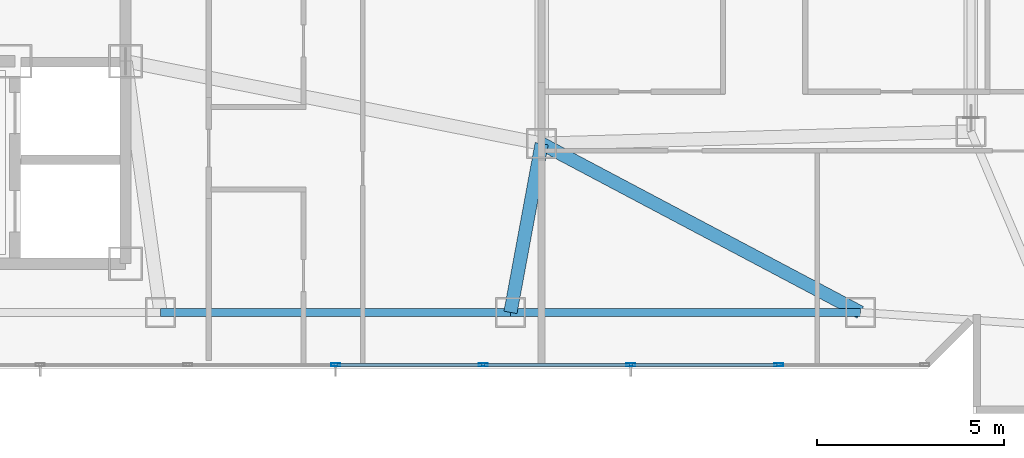
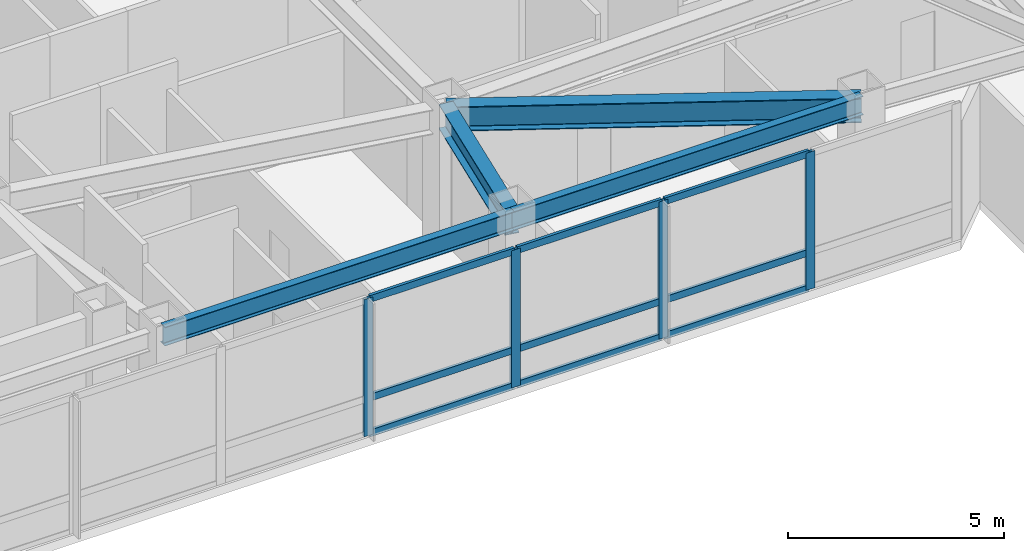
# One storey, part 4 of 12: 13 members, 4 beams, 1 element without a shape of its own.
"""IFC4 building model written with IfcOpenShell, lengths in metres."""

from ifc_helpers import new_model, si_unit, direction, frame, origin, origin_2d, place, context, subcontext, project, spatial, hollow_rectangle, i_section, extrude, material, material_profile, profile_set, type_object, element, aggregate, save


model = new_model("IFC4")

# Units and contexts
model_context = context("Model", 3, precision=1e-05, world=origin(), true_north=direction((0.0, 1.0)))
body_context = subcontext(model_context, "Body", "Model", "MODEL_VIEW")
ifc_project = project(units=[si_unit("LENGTHUNIT", "METRE"), si_unit("AREAUNIT", "SQUARE_METRE"), si_unit("VOLUMEUNIT", "CUBIC_METRE"), si_unit("PLANEANGLEUNIT", "RADIAN"), si_unit("MASSUNIT", "GRAM", prefix="KILO")], contexts=[model_context])

# Site, building, storey
site_placement = place(None, origin())
site = spatial("IfcSite", under=ifc_project, at=site_placement, CompositionType="ELEMENT")
building_placement = place(site_placement, origin())
building = spatial("IfcBuilding", under=site, at=building_placement, Name="Khamvora Tower", CompositionType="ELEMENT")
storey_placement = place(building_placement, frame((0.0, 0.0, 298.85009765625)))
storey = spatial("IfcBuildingStorey", under=building, at=storey_placement, Name="L76", CompositionType="ELEMENT", Elevation=298.85009765625)

# Beams
ifc_material_1 = material(Name="Steel S355", Category="steel")
ifc_material_profile_1 = material_profile(ifc_material_1, i_section(OverallWidth=0.35498046875, OverallDepth=0.695068359375, WebThickness=0.014892578125, FlangeThickness=0.02490234375, FilletRadius=0.01611328125, at=origin_2d()), Name="W690x217")
ifc_profile_set_1 = profile_set([ifc_material_profile_1], Name="Steel S355")
beam_type_1 = type_object("IfcBeamType", Name="BM-PG-W690x217", PredefinedType="BEAM", material=ifc_profile_set_1)
beam_1_placement = place(storey_placement, frame((50.5, 22.199951171875, 3.531982421875), z_axis=(-0.182020488605, -0.983294737974, 0.0), x_axis=(0.983294737974, -0.182020488605, 0.0)))
element("IfcBeam", 1, at=beam_1_placement, inside=storey, type_object=beam_type_1, Name="L76 primary floor girder S3", PredefinedType="BEAM", context=body_context, shape_type="SweptSolid", body=[
    extrude(i_section(OverallWidth=0.35498046875, OverallDepth=0.695068359375, WebThickness=0.014892578125, FlangeThickness=0.02490234375, FilletRadius=0.01611328125, at=origin_2d()), origin(), (0.0, 0.0, 1.0), 4.576416015625),
])
beam_2_placement = place(storey_placement, frame((50.5, 22.199951171875, 3.531982421875), z_axis=(0.883787916347, -0.467887720419, 0.0), x_axis=(0.467887720419, 0.883787916347, 0.0)))
element("IfcBeam", 2, at=beam_2_placement, inside=storey, type_object=beam_type_1, Name="L76 primary floor girder S4", PredefinedType="BEAM", context=body_context, shape_type="SweptSolid", body=[
    extrude(i_section(OverallWidth=0.35498046875, OverallDepth=0.695068359375, WebThickness=0.014892578125, FlangeThickness=0.02490234375, FilletRadius=0.01611328125, at=origin_2d()), origin(), (0.0, 0.0, 1.0), 9.61767578125),
])
ifc_material_profile_2 = material_profile(ifc_material_1, i_section(OverallWidth=0.208984375, OverallDepth=0.532958984375, WebThickness=0.010009765625, FlangeThickness=0.01611328125, FilletRadius=0.013916015625, at=origin_2d()), Name="W530x92")
ifc_profile_set_2 = profile_set([ifc_material_profile_2], Name="Steel S355")
beam_type_2 = type_object("IfcBeamType", Name="BM-SP-W530x92", PredefinedType="SPANDREL", material=ifc_profile_set_2)
beam_3_placement = place(storey_placement, frame((40.3330078125, 17.699951171875, 3.614013671875), z_axis=(1.0, 0.0, 0.0), x_axis=(0.0, 1.0, 0.0)))
element("IfcBeam", 3, at=beam_3_placement, inside=storey, type_object=beam_type_2, Name="L76 perimeter spandrel beam S2-S3", PredefinedType="SPANDREL", context=body_context, shape_type="SweptSolid", body=[
    extrude(i_section(OverallWidth=0.208984375, OverallDepth=0.532958984375, WebThickness=0.010009765625, FlangeThickness=0.01611328125, FilletRadius=0.013916015625, at=origin_2d()), origin(), (0.0, 0.0, 1.0), 9.333984375),
])
beam_4_placement = place(storey_placement, frame((49.6669921875, 17.699951171875, 3.614013671875), z_axis=(1.0, 0.0, 0.0), x_axis=(0.0, 1.0, 0.0)))
element("IfcBeam", 4, at=beam_4_placement, inside=storey, type_object=beam_type_2, Name="L76 perimeter spandrel beam S3-S4", PredefinedType="SPANDREL", context=body_context, shape_type="SweptSolid", body=[
    extrude(i_section(OverallWidth=0.208984375, OverallDepth=0.532958984375, WebThickness=0.010009765625, FlangeThickness=0.01611328125, FilletRadius=0.013916015625, at=origin_2d()), origin(), (0.0, 0.0, 1.0), 9.3330078125),
])

# Curtain wall, members
ifc_material_2 = material(Name="Anodised Aluminium 6063-T6", Category="aluminium")
curtain_wall_type = type_object("IfcCurtainWallType", Name="CW-SYS-06", PredefinedType="NOTDEFINED", material=ifc_material_2)
curtain_wall_placement = place(storey_placement, origin())
curtain_wall = element("IfcCurtainWall", 5, at=curtain_wall_placement, inside=storey, type_object=curtain_wall_type, Name="L76 stick curtain wall 01.1", PredefinedType="NOTDEFINED")
ifc_material_profile_3 = material_profile(ifc_material_2, hollow_rectangle(XDim=0.080078125, YDim=0.239990234375, WallThickness=0.0048828125, at=origin_2d()), Name="MUL80x240x5")
ifc_profile_set_3 = profile_set([ifc_material_profile_3], Name="Anodised Aluminium 6063-T6")
member_type_1 = type_object("IfcMemberType", Name="CW-SYS-06-MUL", PredefinedType="MULLION", material=ifc_profile_set_3)
member_1_placement = place(storey_placement, frame((56.8193359375, 16.300048828125, 0.0), z_axis=(0.0, 0.0, 1.0), x_axis=(0.0, -1.0, 0.0)))
member_1 = element("IfcMember", 6, at=member_1_placement, type_object=member_type_1, Name="CW-06 mullion 2", PredefinedType="MULLION", context=body_context, shape_type="SweptSolid", body=[
    extrude(hollow_rectangle(XDim=0.080078125, YDim=0.239990234375, WallThickness=0.0048828125, at=origin_2d()), origin(), (0.0, 0.0, 1.0), 3.8798828125),
])
member_2_placement = place(storey_placement, frame((52.87939453125, 16.300048828125, 0.0), z_axis=(0.0, 0.0, 1.0), x_axis=(0.0, -1.0, 0.0)))
member_2 = element("IfcMember", 7, at=member_2_placement, type_object=member_type_1, Name="CW-06 mullion 3", PredefinedType="MULLION", context=body_context, shape_type="SweptSolid", body=[
    extrude(hollow_rectangle(XDim=0.080078125, YDim=0.239990234375, WallThickness=0.0048828125, at=origin_2d()), origin(), (0.0, 0.0, 1.0), 3.8798828125),
])
member_3_placement = place(storey_placement, frame((48.939697265625, 16.300048828125, 0.0), z_axis=(0.0, 0.0, 1.0), x_axis=(0.0, -1.0, 0.0)))
member_3 = element("IfcMember", 8, at=member_3_placement, type_object=member_type_1, Name="CW-06 mullion 4", PredefinedType="MULLION", context=body_context, shape_type="SweptSolid", body=[
    extrude(hollow_rectangle(XDim=0.080078125, YDim=0.239990234375, WallThickness=0.0048828125, at=origin_2d()), origin(), (0.0, 0.0, 1.0), 3.8798828125),
])
member_4_placement = place(storey_placement, frame((45.0, 16.300048828125, 0.0), z_axis=(0.0, 0.0, 1.0), x_axis=(0.0, -1.0, 0.0)))
member_4 = element("IfcMember", 9, at=member_4_placement, type_object=member_type_1, Name="CW-06 mullion 5", PredefinedType="MULLION", context=body_context, shape_type="SweptSolid", body=[
    extrude(hollow_rectangle(XDim=0.080078125, YDim=0.239990234375, WallThickness=0.0048828125, at=origin_2d()), origin(), (0.0, 0.0, 1.0), 3.8798828125),
])
ifc_material_profile_4 = material_profile(ifc_material_2, hollow_rectangle(XDim=0.080078125, YDim=0.195068359375, WallThickness=0.0048828125, at=origin_2d()), Name="TRN80x195x5")
ifc_profile_set_4 = profile_set([ifc_material_profile_4], Name="Anodised Aluminium 6063-T6")
member_type_2 = type_object("IfcMemberType", Name="CW-SYS-06-TRN", PredefinedType="USERDEFINED", material=ifc_profile_set_4)
member_5_placement = place(storey_placement, frame((56.779296875, 16.300048828125, 0.039794921875), z_axis=(-1.0, 0.0, 0.0), x_axis=(0.0, -1.0, 0.0)))
member_5 = element("IfcMember", 10, at=member_5_placement, type_object=member_type_2, Name="CW-06 transom 2.1", ObjectType="TRANSOM", PredefinedType="USERDEFINED", context=body_context, shape_type="SweptSolid", body=[
    extrude(hollow_rectangle(XDim=0.080078125, YDim=0.195068359375, WallThickness=0.0048828125, at=origin_2d()), origin(), (0.0, 0.0, 1.0), 3.85986328125),
])
member_6_placement = place(storey_placement, frame((56.779296875, 16.300048828125, 1.0498046875), z_axis=(-1.0, 0.0, 0.0), x_axis=(0.0, -1.0, 0.0)))
member_6 = element("IfcMember", 11, at=member_6_placement, type_object=member_type_2, Name="CW-06 transom 2.2", ObjectType="TRANSOM", PredefinedType="USERDEFINED", context=body_context, shape_type="SweptSolid", body=[
    extrude(hollow_rectangle(XDim=0.080078125, YDim=0.195068359375, WallThickness=0.0048828125, at=origin_2d()), origin(), (0.0, 0.0, 1.0), 3.85986328125),
])
member_7_placement = place(storey_placement, frame((56.779296875, 16.300048828125, 3.83984375), z_axis=(-1.0, 0.0, 0.0), x_axis=(0.0, -1.0, 0.0)))
member_7 = element("IfcMember", 12, at=member_7_placement, type_object=member_type_2, Name="CW-06 transom 2.3", ObjectType="TRANSOM", PredefinedType="USERDEFINED", context=body_context, shape_type="SweptSolid", body=[
    extrude(hollow_rectangle(XDim=0.080078125, YDim=0.195068359375, WallThickness=0.0048828125, at=origin_2d()), origin(), (0.0, 0.0, 1.0), 3.85986328125),
])
member_8_placement = place(storey_placement, frame((52.839599609375, 16.300048828125, 0.039794921875), z_axis=(-1.0, 0.0, 0.0), x_axis=(0.0, -1.0, 0.0)))
member_8 = element("IfcMember", 13, at=member_8_placement, type_object=member_type_2, Name="CW-06 transom 3.1", ObjectType="TRANSOM", PredefinedType="USERDEFINED", context=body_context, shape_type="SweptSolid", body=[
    extrude(hollow_rectangle(XDim=0.080078125, YDim=0.195068359375, WallThickness=0.0048828125, at=origin_2d()), origin(), (0.0, 0.0, 1.0), 3.85986328125),
])
member_9_placement = place(storey_placement, frame((52.839599609375, 16.300048828125, 1.0498046875), z_axis=(-1.0, 0.0, 0.0), x_axis=(0.0, -1.0, 0.0)))
member_9 = element("IfcMember", 14, at=member_9_placement, type_object=member_type_2, Name="CW-06 transom 3.2", ObjectType="TRANSOM", PredefinedType="USERDEFINED", context=body_context, shape_type="SweptSolid", body=[
    extrude(hollow_rectangle(XDim=0.080078125, YDim=0.195068359375, WallThickness=0.0048828125, at=origin_2d()), origin(), (0.0, 0.0, 1.0), 3.85986328125),
])
member_10_placement = place(storey_placement, frame((52.839599609375, 16.300048828125, 3.83984375), z_axis=(-1.0, 0.0, 0.0), x_axis=(0.0, -1.0, 0.0)))
member_10 = element("IfcMember", 15, at=member_10_placement, type_object=member_type_2, Name="CW-06 transom 3.3", ObjectType="TRANSOM", PredefinedType="USERDEFINED", context=body_context, shape_type="SweptSolid", body=[
    extrude(hollow_rectangle(XDim=0.080078125, YDim=0.195068359375, WallThickness=0.0048828125, at=origin_2d()), origin(), (0.0, 0.0, 1.0), 3.85986328125),
])
member_11_placement = place(storey_placement, frame((48.899658203125, 16.300048828125, 0.039794921875), z_axis=(-1.0, 0.0, 0.0), x_axis=(0.0, -1.0, 0.0)))
member_11 = element("IfcMember", 16, at=member_11_placement, type_object=member_type_2, Name="CW-06 transom 4.1", ObjectType="TRANSOM", PredefinedType="USERDEFINED", context=body_context, shape_type="SweptSolid", body=[
    extrude(hollow_rectangle(XDim=0.080078125, YDim=0.195068359375, WallThickness=0.0048828125, at=origin_2d()), origin(), (0.0, 0.0, 1.0), 3.859619140625),
])
member_12_placement = place(storey_placement, frame((48.899658203125, 16.300048828125, 1.0498046875), z_axis=(-1.0, 0.0, 0.0), x_axis=(0.0, -1.0, 0.0)))
member_12 = element("IfcMember", 17, at=member_12_placement, type_object=member_type_2, Name="CW-06 transom 4.2", ObjectType="TRANSOM", PredefinedType="USERDEFINED", context=body_context, shape_type="SweptSolid", body=[
    extrude(hollow_rectangle(XDim=0.080078125, YDim=0.195068359375, WallThickness=0.0048828125, at=origin_2d()), origin(), (0.0, 0.0, 1.0), 3.859619140625),
])
member_13_placement = place(storey_placement, frame((48.899658203125, 16.300048828125, 3.83984375), z_axis=(-1.0, 0.0, 0.0), x_axis=(0.0, -1.0, 0.0)))
member_13 = element("IfcMember", 18, at=member_13_placement, type_object=member_type_2, Name="CW-06 transom 4.3", ObjectType="TRANSOM", PredefinedType="USERDEFINED", context=body_context, shape_type="SweptSolid", body=[
    extrude(hollow_rectangle(XDim=0.080078125, YDim=0.195068359375, WallThickness=0.0048828125, at=origin_2d()), origin(), (0.0, 0.0, 1.0), 3.859619140625),
])
aggregate(curtain_wall, [member_1, member_2, member_3, member_4, member_5, member_6, member_7, member_8, member_9, member_10, member_11, member_12, member_13])

save(model, "model.ifc")
